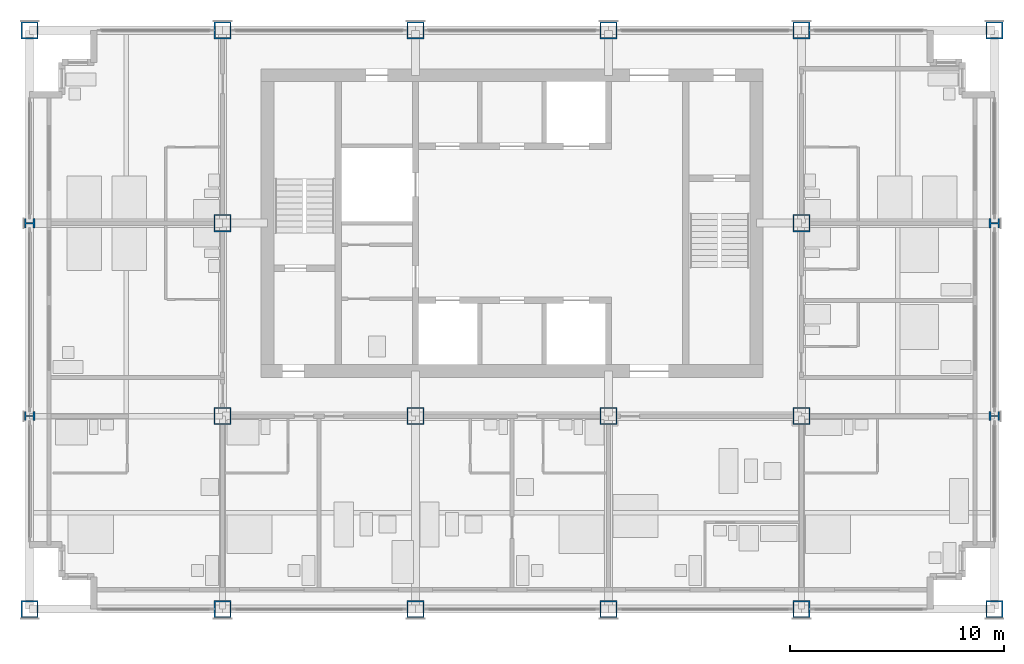
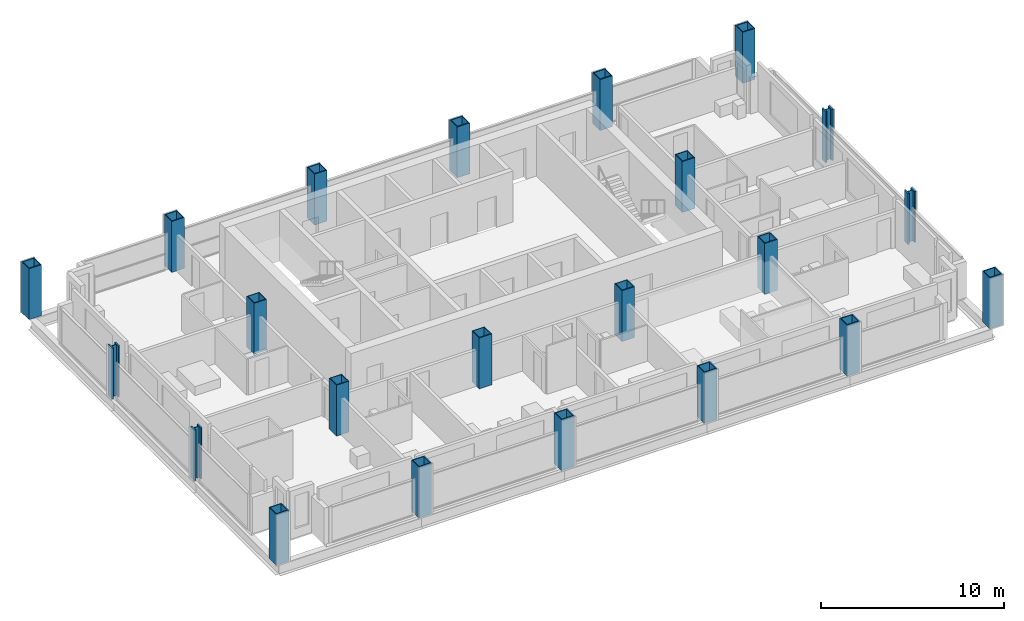
# One storey, part 1 of 13: 22 columns.
"""IFC4 building model written with IfcOpenShell, lengths in metres."""

from ifc_helpers import new_model, si_unit, direction, frame, origin, origin_2d, place, context, subcontext, project, spatial, hollow_rectangle, i_section, extrude, material, material_profile, profile_set, type_object, element, save


model = new_model("IFC4")

# Units and contexts
model_context = context("Model", 3, precision=1e-05, world=origin(), true_north=direction((0.0, 1.0)))
body_context = subcontext(model_context, "Body", "Model", "MODEL_VIEW")
ifc_project = project(units=[si_unit("LENGTHUNIT", "METRE"), si_unit("AREAUNIT", "SQUARE_METRE"), si_unit("VOLUMEUNIT", "CUBIC_METRE"), si_unit("PLANEANGLEUNIT", "RADIAN"), si_unit("MASSUNIT", "GRAM", prefix="KILO")], contexts=[model_context])

# Site, building, storey
site_placement = place(None, origin())
site = spatial("IfcSite", under=ifc_project, at=site_placement, CompositionType="ELEMENT")
building_placement = place(site_placement, origin())
building = spatial("IfcBuilding", under=site, at=building_placement, Name="Loomwork Tower", CompositionType="ELEMENT")
storey_placement = place(building_placement, frame((0.0, 0.0, 197.800048828125)))
storey = spatial("IfcBuildingStorey", under=building, at=storey_placement, Name="L54", CompositionType="ELEMENT", Elevation=197.800048828125)

# Columns
ifc_material_1 = material(Name="Steel ASTM A572 Grade 50 plate", Category="steel")
ifc_material_profile_1 = material_profile(ifc_material_1, hollow_rectangle(XDim=0.800048828125, YDim=0.800048828125, WallThickness=0.06005859375, at=origin_2d()), Name="BOX800x60")
ifc_profile_set_1 = profile_set([ifc_material_profile_1], Name="Steel ASTM A572 Grade 50 plate")
column_type_1 = type_object("IfcColumnType", Name="EXOSKELETON PIER BOX800x60", PredefinedType="COLUMN", material=ifc_profile_set_1)
for number, where, z_axis, x_axis, name in (
    (1, (0.0, 0.0, 0.0), (0.0, 0.0, 1.0), (1.0, 0.0, 0.0), "Exoskeleton Pier D/2 L54"),
    (2, (0.0, 27.0, 0.0), (0.0, 0.0, 1.0), (0.0, 1.0, 0.0), "Exoskeleton Pier G/2 L54"),
    (3, (9.0, 0.0, 0.0), (0.0, 0.0, 1.0), (1.0, 0.0, 0.0), "Exoskeleton Pier D/3 L54"),
    (4, (9.0, 27.0, 0.0), (0.0, 0.0, 1.0), (1.0, 0.0, 0.0), "Exoskeleton Pier G/3 L54"),
    (5, (18.0, 0.0, 0.0), (0.0, 0.0, 1.0), (1.0, 0.0, 0.0), "Exoskeleton Pier D/4 L54"),
    (6, (18.0, 27.0, 0.0), (0.0, 0.0, 1.0), (1.0, 0.0, 0.0), "Exoskeleton Pier G/4 L54"),
    (7, (27.0, 0.0, 0.0), (0.0, 0.0, 1.0), (1.0, 0.0, 0.0), "Exoskeleton Pier D/5 L54"),
    (8, (27.0, 27.0, 0.0), (0.0, 0.0, 1.0), (1.0, 0.0, 0.0), "Exoskeleton Pier G/5 L54"),
    (9, (36.0, 0.0, 0.0), (0.0, 0.0, 1.0), (1.0, 0.0, 0.0), "Exoskeleton Pier D/6 L54"),
    (10, (36.0, 27.0, 0.0), (0.0, 0.0, 1.0), (1.0, 0.0, 0.0), "Exoskeleton Pier G/6 L54"),
    (11, (45.0, 0.0, 0.0), (0.0, 0.0, 1.0), (1.0, 0.0, 0.0), "Exoskeleton Pier D/7 L54"),
    (12, (45.0, 27.0, 0.0), (0.0, 0.0, 1.0), (0.0, 1.0, 0.0), "Exoskeleton Pier G/7 L54"),
):
    element("IfcColumn", number, at=place(storey_placement, frame(where, z_axis=z_axis, x_axis=x_axis)), inside=storey, type_object=column_type_1, Name=name, PredefinedType="COLUMN", context=body_context, shape_type="SweptSolid", body=[
        extrude(hollow_rectangle(XDim=0.800048828125, YDim=0.800048828125, WallThickness=0.06005859375, at=origin_2d()), origin(), (0.0, 0.0, 1.0), 3.39990234375),
    ])
ifc_material_2 = material(Name="Steel ASTM A992", Category="steel")
ifc_material_profile_2 = material_profile(ifc_material_2, i_section(OverallWidth=0.4267578125, OverallDepth=0.482666015625, WebThickness=0.05126953125, FlangeThickness=0.08154296875, at=origin_2d()), Name="W14x455")
ifc_profile_set_2 = profile_set([ifc_material_profile_2], Name="Steel ASTM A992")
column_type_2 = type_object("IfcColumnType", Name="EXOSKELETON PIER W14x455", PredefinedType="COLUMN", material=ifc_profile_set_2)
for number, where, z_axis, x_axis, name in (
    (13, (0.0, 9.0, 0.0), (0.0, 0.0, 1.0), (0.0, 1.0, 0.0), "Exoskeleton Pier E/2 L54"),
    (14, (0.0, 18.0, 0.0), (0.0, 0.0, 1.0), (0.0, 1.0, 0.0), "Exoskeleton Pier F/2 L54"),
    (15, (45.0, 9.0, 0.0), (0.0, 0.0, 1.0), (0.0, 1.0, 0.0), "Exoskeleton Pier E/7 L54"),
    (16, (45.0, 18.0, 0.0), (0.0, 0.0, 1.0), (0.0, 1.0, 0.0), "Exoskeleton Pier F/7 L54"),
):
    element("IfcColumn", number, at=place(storey_placement, frame(where, z_axis=z_axis, x_axis=x_axis)), inside=storey, type_object=column_type_2, Name=name, PredefinedType="COLUMN", context=body_context, shape_type="SweptSolid", body=[
        extrude(i_section(OverallWidth=0.4267578125, OverallDepth=0.482666015625, WebThickness=0.05126953125, FlangeThickness=0.08154296875, at=origin_2d()), origin(), (0.0, 0.0, 1.0), 3.39990234375),
    ])
ifc_material_3 = material(Name="Steel ASTM A572 Grade 50 plate", Category="steel")
ifc_material_profile_3 = material_profile(ifc_material_3, hollow_rectangle(XDim=0.800048828125, YDim=0.800048828125, WallThickness=0.050048828125, at=origin_2d()), Name="BOX800x50")
ifc_profile_set_3 = profile_set([ifc_material_profile_3], Name="Steel ASTM A572 Grade 50 plate")
column_type_3 = type_object("IfcColumnType", Name="TOWER COLUMN BOX800x50", PredefinedType="COLUMN", material=ifc_profile_set_3)
for number, where, z_axis, x_axis, name in (
    (17, (9.0, 9.0, 0.0), (0.0, 0.0, 1.0), (1.0, 0.0, 0.0), "Tower Column E/3 L54"),
    (18, (9.0, 18.0, 0.0), (0.0, 0.0, 1.0), (1.0, 0.0, 0.0), "Tower Column F/3 L54"),
    (19, (18.0, 9.0, 0.0), (0.0, 0.0, 1.0), (1.0, 0.0, 0.0), "Tower Column E/4 L54"),
    (20, (27.0, 9.0, 0.0), (0.0, 0.0, 1.0), (1.0, 0.0, 0.0), "Tower Column E/5 L54"),
    (21, (36.0, 9.0, 0.0), (0.0, 0.0, 1.0), (0.0, 1.0, 0.0), "Tower Column E/6 L54"),
    (22, (36.0, 18.0, 0.0), (0.0, 0.0, 1.0), (0.0, 1.0, 0.0), "Tower Column F/6 L54"),
):
    element("IfcColumn", number, at=place(storey_placement, frame(where, z_axis=z_axis, x_axis=x_axis)), inside=storey, type_object=column_type_3, Name=name, PredefinedType="COLUMN", context=body_context, shape_type="SweptSolid", body=[
        extrude(hollow_rectangle(XDim=0.800048828125, YDim=0.800048828125, WallThickness=0.050048828125, at=origin_2d()), origin(), (0.0, 0.0, 1.0), 3.39990234375),
    ])

save(model, "model.ifc")
